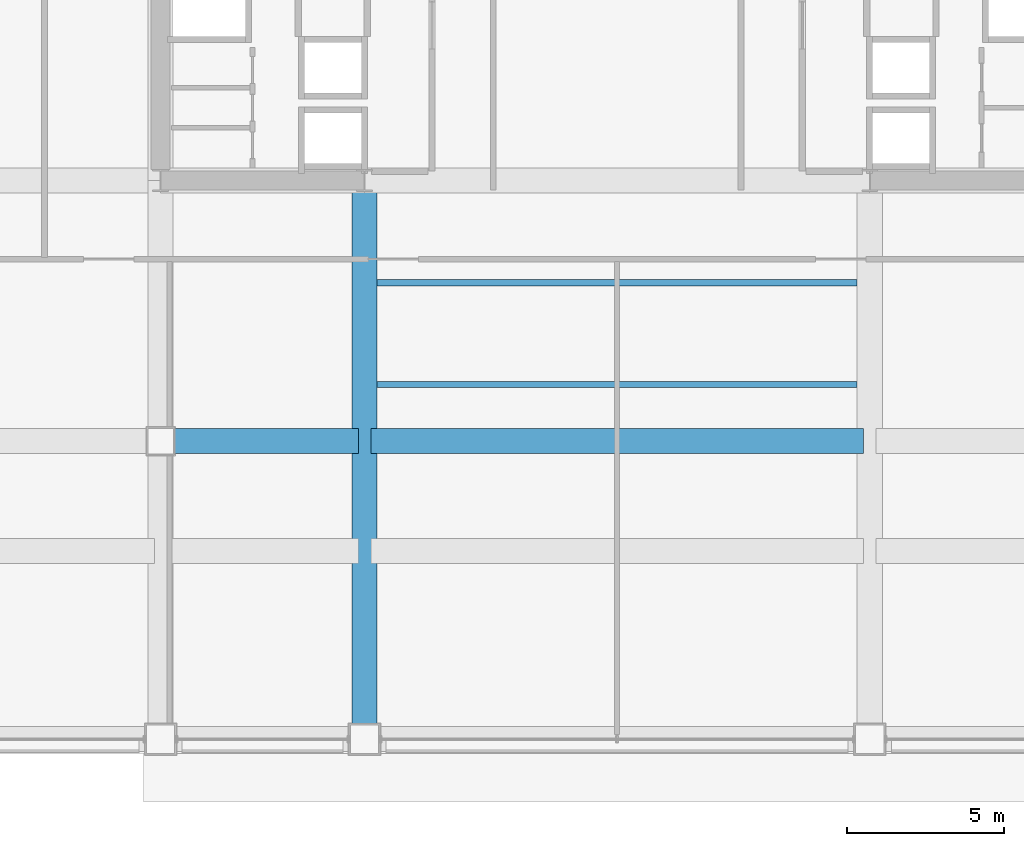
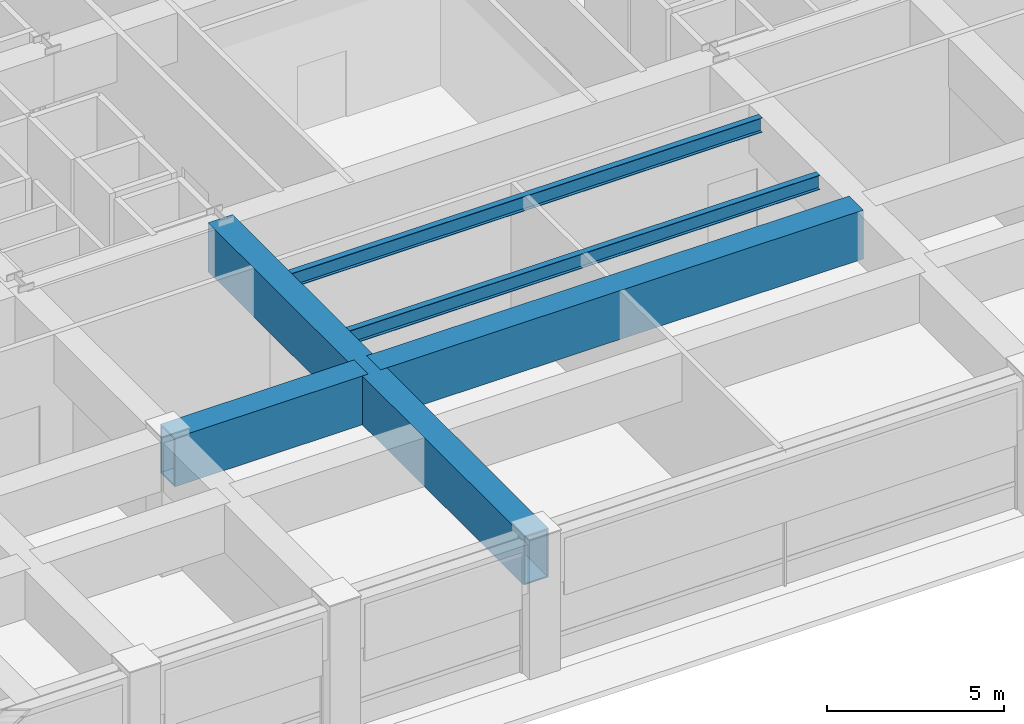
# One storey, part 6 of 30: 5 beams.
"""IFC4 building model written with IfcOpenShell, lengths in metres."""

from ifc_helpers import new_model, si_unit, direction, frame, origin, origin_2d, place, context, subcontext, project, spatial, hollow_rectangle, i_section, extrude, material, material_profile, profile_set, type_object, element, save


model = new_model("IFC4")

# Units and contexts
model_context = context("Model", 3, precision=1e-05, world=origin(), true_north=direction((0.0, 1.0)))
body_context = subcontext(model_context, "Body", "Model", "MODEL_VIEW")
ifc_project = project(units=[si_unit("LENGTHUNIT", "METRE"), si_unit("AREAUNIT", "SQUARE_METRE"), si_unit("VOLUMEUNIT", "CUBIC_METRE"), si_unit("PLANEANGLEUNIT", "RADIAN"), si_unit("MASSUNIT", "GRAM", prefix="KILO")], contexts=[model_context])

# Site, building, storey
site_placement = place(None, origin())
site = spatial("IfcSite", under=ifc_project, at=site_placement, CompositionType="ELEMENT")
building_placement = place(site_placement, origin())
building = spatial("IfcBuilding", under=site, at=building_placement, Name="Brelmoor Portico Tower", CompositionType="ELEMENT")
storey_placement = place(building_placement, frame((0.0, 0.0, 19.199951171875)))
storey = spatial("IfcBuildingStorey", under=building, at=storey_placement, Name="L04", CompositionType="ELEMENT", Elevation=19.199951171875)

# Beams
ifc_material = material(Name="Steel Q355B", Category="steel")
ifc_material_profile_1 = material_profile(ifc_material, i_section(OverallWidth=0.199951171875, OverallDepth=0.5, WebThickness=0.010009765625, FlangeThickness=0.01611328125, at=origin_2d()), Name="HN 500x200x10x16")
ifc_profile_set_1 = profile_set([ifc_material_profile_1], Name="Steel Q355B")
beam_type_1 = type_object("IfcBeamType", Name="BM-JS-500", PredefinedType="JOIST", material=ifc_profile_set_1)
for number, where, z_axis, x_axis, name in (
    (1, (-7.64990234375, -16.25, 4.35009765625), (1.0, 0.0, 0.0), (0.0, 1.0, 0.0), "L04 Secondary Composite Joist JS-C01"),
    (2, (-7.64990234375, -13.0, 4.35009765625), (1.0, 0.0, 0.0), (0.0, 1.0, 0.0), "L04 Secondary Composite Joist JS-C02"),
):
    element("IfcBeam", number, at=place(storey_placement, frame(where, z_axis=z_axis, x_axis=x_axis)), inside=storey, type_object=beam_type_1, Name=name, PredefinedType="JOIST", context=body_context, shape_type="SweptSolid", body=[
        extrude(i_section(OverallWidth=0.199951171875, OverallDepth=0.5, WebThickness=0.010009765625, FlangeThickness=0.01611328125, at=origin_2d()), origin(), (0.0, 0.0, 1.0), 15.2998046875),
    ])
ifc_material_profile_2 = material_profile(ifc_material, hollow_rectangle(XDim=0.800048828125, YDim=1.679931640625, WallThickness=0.044921875, at=origin_2d()), Name="BOX 800x1680x45")
ifc_profile_set_2 = profile_set([ifc_material_profile_2], Name="Steel Q355B")
beam_type_2 = type_object("IfcBeamType", Name="BM-TG-Z1", PredefinedType="BEAM", material=ifc_profile_set_2)
beam_1_placement = place(storey_placement, frame((-8.050048828125, -27.550048828125, 3.760009765625), z_axis=(0.0, 1.0, 0.0), x_axis=(-1.0, 0.0, 0.0)))
element("IfcBeam", 3, at=beam_1_placement, inside=storey, type_object=beam_type_2, Name="L04 Setback Transfer Girder PG-09", PredefinedType="BEAM", context=body_context, shape_type="SweptSolid", body=[
    extrude(hollow_rectangle(XDim=0.800048828125, YDim=1.679931640625, WallThickness=0.044921875, at=origin_2d()), origin(), (0.0, 0.0, 1.0), 17.800048828125),
])
beam_2_placement = place(storey_placement, frame((-14.550048828125, -18.050048828125, 3.760009765625), z_axis=(1.0, 0.0, 0.0), x_axis=(0.0, 1.0, 0.0)))
element("IfcBeam", 4, at=beam_2_placement, inside=storey, type_object=beam_type_2, Name="L04 Setback Transfer Girder TGN-15", PredefinedType="BEAM", context=body_context, shape_type="SweptSolid", body=[
    extrude(hollow_rectangle(XDim=0.800048828125, YDim=1.679931640625, WallThickness=0.044921875, at=origin_2d()), origin(), (0.0, 0.0, 1.0), 6.300048828125),
])
beam_3_placement = place(storey_placement, frame((-7.85009765625, -18.050048828125, 3.760009765625), z_axis=(1.0, 0.0, 0.0), x_axis=(0.0, 1.0, 0.0)))
element("IfcBeam", 5, at=beam_3_placement, inside=storey, type_object=beam_type_2, Name="L04 Setback Transfer Girder TGN-16", PredefinedType="BEAM", context=body_context, shape_type="SweptSolid", body=[
    extrude(hollow_rectangle(XDim=0.800048828125, YDim=1.679931640625, WallThickness=0.044921875, at=origin_2d()), origin(), (0.0, 0.0, 1.0), 15.7001953125),
])

save(model, "model.ifc")
